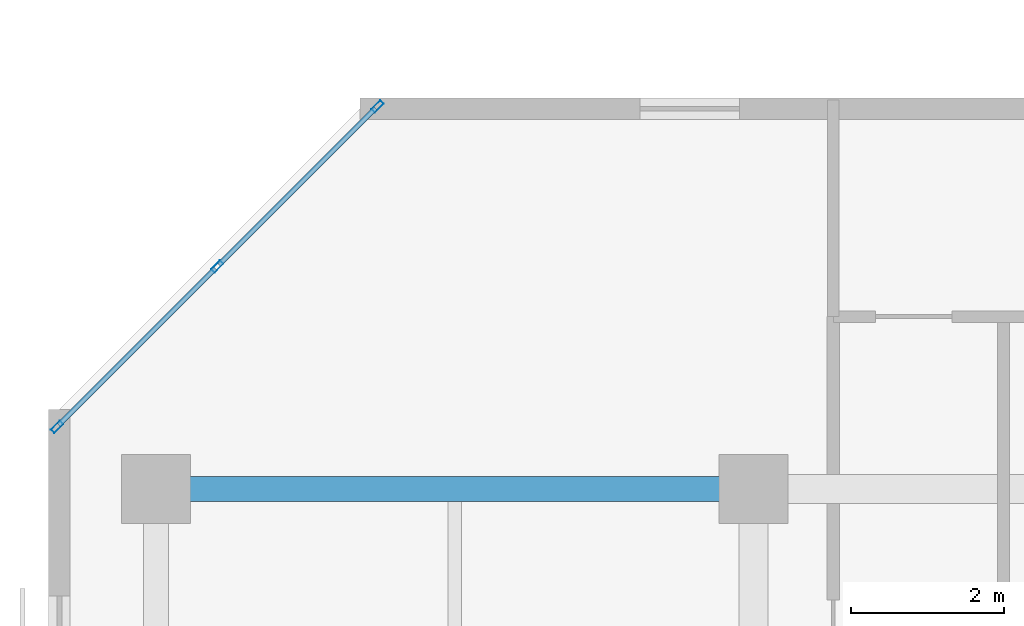
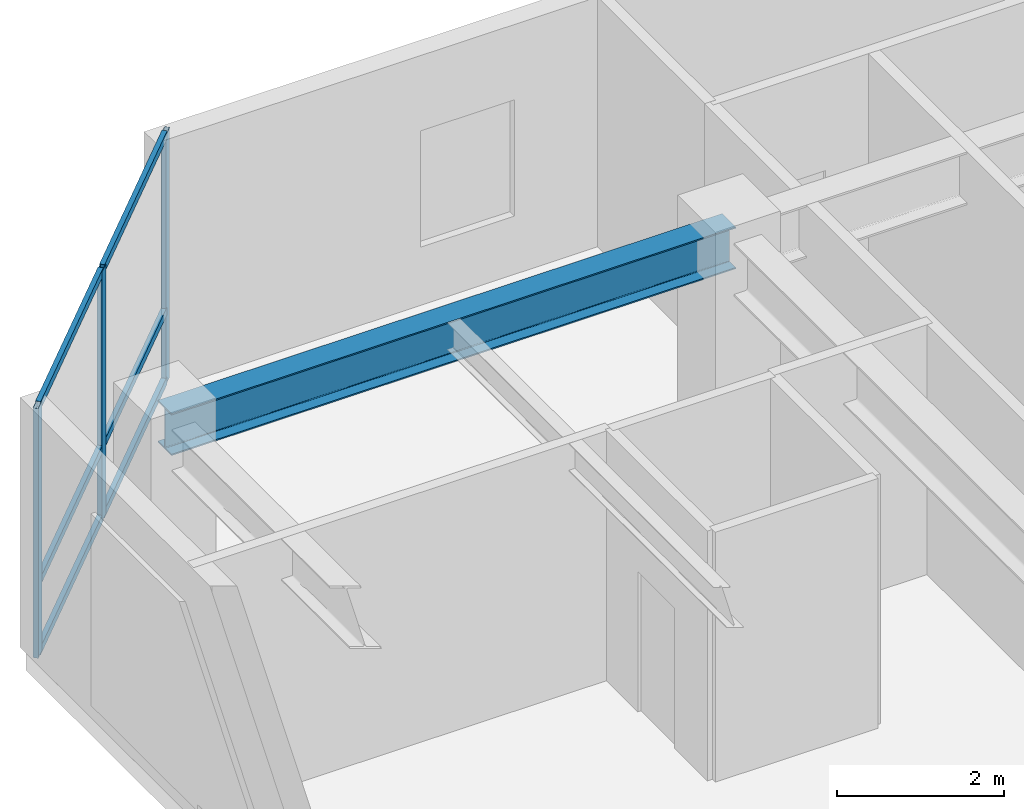
# One storey, part 2 of 10: 9 members, 1 beam, 1 element without a shape of its own.
"""IFC4 building model written with IfcOpenShell, lengths in metres."""

from ifc_helpers import new_model, si_unit, direction, frame, origin, origin_2d, place, context, subcontext, project, spatial, hollow_rectangle, i_section, extrude, material, layer, layer_set, material_profile, profile_set, type_object, element, aggregate, save


model = new_model("IFC4")

# Units and contexts
model_context = context("Model", 3, precision=1e-05, world=origin(), true_north=direction((0.0, 1.0)))
body_context = subcontext(model_context, "Body", "Model", "MODEL_VIEW")
ifc_project = project(units=[si_unit("LENGTHUNIT", "METRE"), si_unit("AREAUNIT", "SQUARE_METRE"), si_unit("VOLUMEUNIT", "CUBIC_METRE"), si_unit("PLANEANGLEUNIT", "RADIAN"), si_unit("MASSUNIT", "GRAM", prefix="KILO")], contexts=[model_context])

# Site, building, storey
site_placement = place(None, origin())
site = spatial("IfcSite", under=ifc_project, at=site_placement, CompositionType="ELEMENT")
building_placement = place(site_placement, origin())
building = spatial("IfcBuilding", under=site, at=building_placement, Name="Kestravale Grand Hotel", CompositionType="ELEMENT")
storey_placement = place(building_placement, frame((0.0, 0.0, 220.199951171875)))
storey = spatial("IfcBuildingStorey", under=building, at=storey_placement, Name="L55", CompositionType="ELEMENT", Elevation=220.199951171875)

# Beam
ifc_material_1 = material(Name="Steel ASTM A992 Grade 50", Category="steel")
ifc_material_profile_1 = material_profile(ifc_material_1, i_section(OverallWidth=0.324951171875, OverallDepth=0.612060546875, WebThickness=0.0126953125, FlangeThickness=0.01904296875, FilletRadius=0.018798828125, at=origin_2d()))
ifc_profile_set_1 = profile_set([ifc_material_profile_1], Name="Steel ASTM A992 Grade 50")
beam_type = type_object("IfcBeamType", Name="B-FLR-W24A", PredefinedType="SPANDREL", material=ifc_profile_set_1)
beam_placement = place(storey_placement, frame((7.800048828125, 38.39990234375, 3.343994140625), z_axis=(1.0, 0.0, 0.0), x_axis=(0.0, 1.0, 0.0)))
element("IfcBeam", 1, at=beam_placement, inside=storey, type_object=beam_type, Name="L55 spandrel F:2-3", PredefinedType="SPANDREL", context=body_context, shape_type="SweptSolid", body=[
    extrude(i_section(OverallWidth=0.324951171875, OverallDepth=0.612060546875, WebThickness=0.0126953125, FlangeThickness=0.01904296875, FilletRadius=0.018798828125, at=origin_2d()), origin(), (0.0, 0.0, 1.0), 7.800048828125),
])

# Curtain wall, members
ifc_material_2 = material(Name="Thermally broken champagne-bronze aluminium and low-E glazing", Category="aluminium")
ifc_layer = layer(ifc_material_2, 0.179931640625)
ifc_layer_set = layer_set([ifc_layer], Name="CW-Z3")
curtain_wall_type = type_object("IfcCurtainWallType", Name="CW-Z3", PredefinedType="NOTDEFINED", material=ifc_layer_set)
curtain_wall_placement = place(storey_placement, origin())
curtain_wall = element("IfcCurtainWall", 2, at=curtain_wall_placement, inside=storey, type_object=curtain_wall_type, Name="L55 unitised curtain wall 18", PredefinedType="NOTDEFINED")
ifc_material_3 = material(Name="Aluminium 6063-T6 anodised", Category="aluminium")
ifc_material_profile_2 = material_profile(ifc_material_3, hollow_rectangle(XDim=0.06494140625, YDim=0.1650390625, WallThickness=0.00341796875, at=origin_2d()))
ifc_profile_set_2 = profile_set([ifc_material_profile_2], Name="Aluminium 6063-T6 anodised")
member_type_1 = type_object("IfcMemberType", Name="CW-MUL-165", PredefinedType="MULLION", material=ifc_profile_set_2)
member_1_placement = place(storey_placement, frame((10.690185546875, 43.392333984375, 0.0), z_axis=(0.0, 0.0, 1.0), x_axis=(0.707106781187, -0.707106781187, 0.0)))
member_1 = element("IfcMember", 3, at=member_1_placement, type_object=member_type_1, Name="CW-Z3 mullion 1", PredefinedType="MULLION", context=body_context, shape_type="SweptSolid", body=[
    extrude(hollow_rectangle(XDim=0.06494140625, YDim=0.1650390625, WallThickness=0.00341796875, at=origin_2d()), origin(), (0.0, 0.0, 1.0), 3.650146484375),
])
member_2_placement = place(storey_placement, frame((8.59912109375, 41.301025390625, 0.0), z_axis=(0.0, 0.0, 1.0), x_axis=(0.707106781187, -0.707106781187, 0.0)))
member_2 = element("IfcMember", 4, at=member_2_placement, type_object=member_type_1, Name="CW-Z3 mullion 2", PredefinedType="MULLION", context=body_context, shape_type="SweptSolid", body=[
    extrude(hollow_rectangle(XDim=0.06494140625, YDim=0.1650390625, WallThickness=0.00341796875, at=origin_2d()), origin(), (0.0, 0.0, 1.0), 3.650146484375),
])
member_3_placement = place(storey_placement, frame((6.5078125, 39.209716796875, 0.0), z_axis=(0.0, 0.0, 1.0), x_axis=(0.707106781187, -0.707106781187, 0.0)))
member_3 = element("IfcMember", 5, at=member_3_placement, type_object=member_type_1, Name="CW-Z3 mullion 3", PredefinedType="MULLION", context=body_context, shape_type="SweptSolid", body=[
    extrude(hollow_rectangle(XDim=0.06494140625, YDim=0.1650390625, WallThickness=0.00341796875, at=origin_2d()), origin(), (0.0, 0.0, 1.0), 3.650146484375),
])
ifc_material_4 = material(Name="Aluminium 6063-T6 anodised", Category="aluminium")
ifc_material_profile_3 = material_profile(ifc_material_4, hollow_rectangle(XDim=0.06494140625, YDim=0.114990234375, WallThickness=0.003173828125, at=origin_2d()))
ifc_profile_set_3 = profile_set([ifc_material_profile_3], Name="Aluminium 6063-T6 anodised")
member_type_2 = type_object("IfcMemberType", Name="CW-TRN-115", PredefinedType="USERDEFINED", material=ifc_profile_set_3)
member_4_placement = place(storey_placement, frame((10.667236328125, 43.369140625, 0.032470703125), z_axis=(-0.707106781187, -0.707106781187, 0.0), x_axis=(0.707106781187, -0.707106781187, 0.0)))
member_4 = element("IfcMember", 6, at=member_4_placement, type_object=member_type_2, Name="CW-Z3 transom 1.1", ObjectType="TRANSOM", PredefinedType="USERDEFINED", context=body_context, shape_type="SweptSolid", body=[
    extrude(hollow_rectangle(XDim=0.06494140625, YDim=0.114990234375, WallThickness=0.003173828125, at=origin_2d()), origin(), (0.0, 0.0, 1.0), 2.892333984375),
])
member_5_placement = place(storey_placement, frame((10.667236328125, 43.369140625, 1.050048828125), z_axis=(-0.707106781187, -0.707106781187, 0.0), x_axis=(0.707106781187, -0.707106781187, 0.0)))
member_5 = element("IfcMember", 7, at=member_5_placement, type_object=member_type_2, Name="CW-Z3 transom 1.2", ObjectType="TRANSOM", PredefinedType="USERDEFINED", context=body_context, shape_type="SweptSolid", body=[
    extrude(hollow_rectangle(XDim=0.06494140625, YDim=0.114990234375, WallThickness=0.003173828125, at=origin_2d()), origin(), (0.0, 0.0, 1.0), 2.892333984375),
])
member_6_placement = place(storey_placement, frame((10.667236328125, 43.369140625, 3.617431640625), z_axis=(-0.707106781187, -0.707106781187, 0.0), x_axis=(0.707106781187, -0.707106781187, 0.0)))
member_6 = element("IfcMember", 8, at=member_6_placement, type_object=member_type_2, Name="CW-Z3 transom 1.3", ObjectType="TRANSOM", PredefinedType="USERDEFINED", context=body_context, shape_type="SweptSolid", body=[
    extrude(hollow_rectangle(XDim=0.06494140625, YDim=0.114990234375, WallThickness=0.003173828125, at=origin_2d()), origin(), (0.0, 0.0, 1.0), 2.892333984375),
])
member_7_placement = place(storey_placement, frame((8.575927734375, 41.278076171875, 0.032470703125), z_axis=(-0.707064577195, -0.707148982659, 0.0), x_axis=(0.707148982659, -0.707064577195, 0.0)))
member_7 = element("IfcMember", 9, at=member_7_placement, type_object=member_type_2, Name="CW-Z3 transom 2.1", ObjectType="TRANSOM", PredefinedType="USERDEFINED", context=body_context, shape_type="SweptSolid", body=[
    extrude(hollow_rectangle(XDim=0.06494140625, YDim=0.114990234375, WallThickness=0.003173828125, at=origin_2d()), origin(), (0.0, 0.0, 1.0), 2.892578125),
])
member_8_placement = place(storey_placement, frame((8.575927734375, 41.278076171875, 1.050048828125), z_axis=(-0.707064577195, -0.707148982659, 0.0), x_axis=(0.707148982659, -0.707064577195, 0.0)))
member_8 = element("IfcMember", 10, at=member_8_placement, type_object=member_type_2, Name="CW-Z3 transom 2.2", ObjectType="TRANSOM", PredefinedType="USERDEFINED", context=body_context, shape_type="SweptSolid", body=[
    extrude(hollow_rectangle(XDim=0.06494140625, YDim=0.114990234375, WallThickness=0.003173828125, at=origin_2d()), origin(), (0.0, 0.0, 1.0), 2.892578125),
])
member_9_placement = place(storey_placement, frame((8.575927734375, 41.278076171875, 3.617431640625), z_axis=(-0.707064577195, -0.707148982659, 0.0), x_axis=(0.707148982659, -0.707064577195, 0.0)))
member_9 = element("IfcMember", 11, at=member_9_placement, type_object=member_type_2, Name="CW-Z3 transom 2.3", ObjectType="TRANSOM", PredefinedType="USERDEFINED", context=body_context, shape_type="SweptSolid", body=[
    extrude(hollow_rectangle(XDim=0.06494140625, YDim=0.114990234375, WallThickness=0.003173828125, at=origin_2d()), origin(), (0.0, 0.0, 1.0), 2.892578125),
])
aggregate(curtain_wall, [member_1, member_2, member_3, member_4, member_5, member_6, member_7, member_8, member_9])

save(model, "model.ifc")
